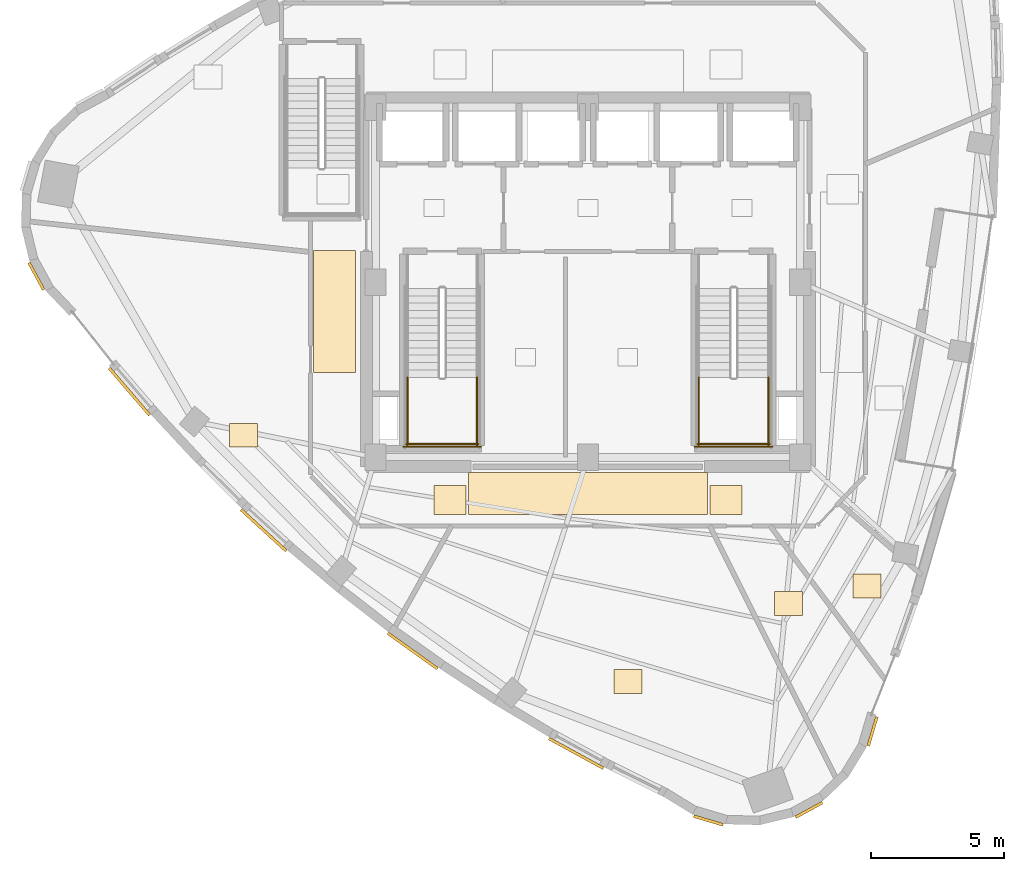
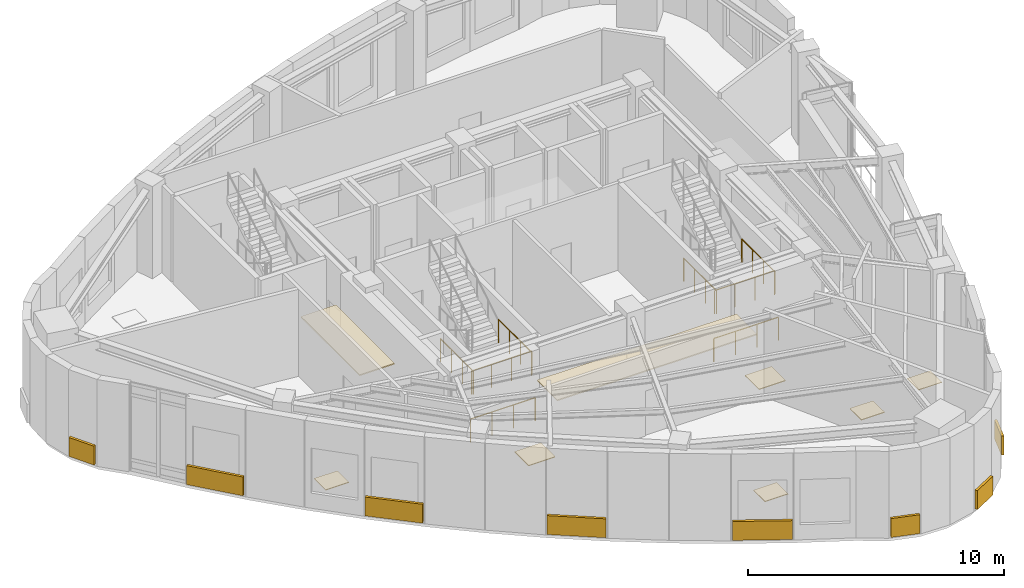
# One storey, part 12 of 14: 16 coverings, 8 railings.
"""IFC4 building model written with IfcOpenShell, lengths in metres."""

from ifc_helpers import new_model, si_unit, direction, frame, origin, origin_2d, place, context, subcontext, project, spatial, rectangle, circle, extrude, material, layer, layer_set, type_object, element, save


model = new_model("IFC4")

# Units and contexts
model_context = context("Model", 3, precision=1e-05, world=origin(), true_north=direction((0.0, 1.0)))
body_context = subcontext(model_context, "Body", "Model", "MODEL_VIEW")
ifc_project = project(units=[si_unit("LENGTHUNIT", "METRE"), si_unit("AREAUNIT", "SQUARE_METRE"), si_unit("VOLUMEUNIT", "CUBIC_METRE"), si_unit("PLANEANGLEUNIT", "RADIAN"), si_unit("MASSUNIT", "GRAM", prefix="KILO")], contexts=[model_context])

# Site, building, storey
site_placement = place(None, origin())
site = spatial("IfcSite", under=ifc_project, at=site_placement, CompositionType="ELEMENT")
building_placement = place(site_placement, origin())
building = spatial("IfcBuilding", under=site, at=building_placement, Name="Ndelora Gate Hotel", CompositionType="ELEMENT")
storey_placement = place(building_placement, frame((0.0, 0.0, 277.199951171875)))
storey = spatial("IfcBuildingStorey", under=building, at=storey_placement, Name="L69", CompositionType="ELEMENT", Elevation=277.199951171875)

# Coverings
ifc_material_1 = material(Name="Perforated Acoustic Gypsum Board", Category="gypsum")
ifc_layer_1 = layer(ifc_material_1, 0.054931640625)
ifc_layer_set_1 = layer_set([ifc_layer_1], Name="Perforated Acoustic Gypsum Board")
covering_type_1 = type_object("IfcCoveringType", Name="COV-CEIL-AC60", PredefinedType="CEILING", material=ifc_layer_set_1)
covering_1_placement = place(storey_placement, frame((-9.550048828125, -1.10009765625, 2.65234375), z_axis=(0.0, 0.0, 1.0), x_axis=(1.0, 0.0, 0.0)))
element("IfcCovering", 1, at=covering_1_placement, inside=storey, type_object=covering_type_1, Name="L69 Guest Corridor Acoustic Ceiling W", PredefinedType="CEILING", context=body_context, shape_type="SweptSolid", body=[
    extrude(rectangle(XDim=1.580078125, YDim=4.60009765625, at=origin_2d()), origin(), (0.0, 0.0, 1.0), 0.054931640625),
])
covering_2_placement = place(storey_placement, frame((0.0, -7.9599609375, 2.65234375), z_axis=(0.0, 0.0, 1.0), x_axis=(1.0, 0.0, 0.0)))
element("IfcCovering", 2, at=covering_2_placement, inside=storey, type_object=covering_type_1, Name="L69 Guest Corridor Acoustic Ceiling S", PredefinedType="CEILING", context=body_context, shape_type="SweptSolid", body=[
    extrude(rectangle(XDim=9.0, YDim=1.580078125, at=origin_2d()), origin(), (0.0, 0.0, 1.0), 0.054931640625),
])
ifc_material_2 = material(Name="Terracotta Fired Clay Brick Slip Cladding", Category="masonry")
ifc_layer_2 = layer(ifc_material_2, 0.110107421875)
ifc_layer_set_2 = layer_set([ifc_layer_2], Name="Terracotta Fired Clay Brick Slip Cladding")
covering_type_2 = type_object("IfcCoveringType", Name="COV-CLAD-BRK", PredefinedType="CLADDING", material=ifc_layer_set_2)
covering_3_placement = place(storey_placement, frame((-20.781494140625, 0.2236328125, 0.10009765625), z_axis=(0.0, 0.0, 1.0), x_axis=(-0.47715876026, 0.878817112662, 0.0)))
element("IfcCovering", 3, at=covering_3_placement, inside=storey, type_object=covering_type_2, Name="L69 Rounded-Corner Brick Cladding Band 7", PredefinedType="CLADDING", context=body_context, shape_type="SweptSolid", body=[
    extrude(rectangle(XDim=1.153076171875, YDim=0.110107421875, at=origin_2d()), origin(), (0.0, 0.0, 1.0), 0.89990234375),
])
covering_4_placement = place(storey_placement, frame((-17.27294921875, -4.123046875, 0.10009765625), z_axis=(0.0, 0.0, 1.0), x_axis=(-0.651568967347, 0.758589401976, 0.0)))
element("IfcCovering", 4, at=covering_4_placement, inside=storey, type_object=covering_type_2, Name="L69 Rounded-Corner Brick Cladding Band 10", PredefinedType="CLADDING", context=body_context, shape_type="SweptSolid", body=[
    extrude(rectangle(XDim=2.3369140625, YDim=0.110107421875, at=origin_2d()), origin(), (0.0, 0.0, 1.0), 0.89990234375),
])
for number, where, z_axis, x_axis, name in (
    (5, (-12.21533203125, -9.348388671875, 0.10009765625), (0.0, 0.0, 1.0), (-0.737513117358, 0.675332808121, 0.0), "L69 Rounded-Corner Brick Cladding Band 13"),
    (6, (-6.6044921875, -13.891845703125, 0.10009765625), (0.0, 0.0, 1.0), (-0.813912765191, 0.580987100252, 0.0), "L69 Rounded-Corner Brick Cladding Band 16"),
):
    element("IfcCovering", number, at=place(storey_placement, frame(where, z_axis=z_axis, x_axis=x_axis)), inside=storey, type_object=covering_type_2, Name=name, PredefinedType="CLADDING", context=body_context, shape_type="SweptSolid", body=[
        extrude(rectangle(XDim=2.302001953125, YDim=0.110107421875, at=origin_2d()), origin(), (0.0, 0.0, 1.0), 0.89990234375),
    ])
covering_5_placement = place(storey_placement, frame((-0.441650390625, -17.752685546875, 0.10009765625), z_axis=(0.0, 0.0, 1.0), x_axis=(-0.87748120917, 0.479611016922, 0.0)))
element("IfcCovering", 7, at=covering_5_placement, inside=storey, type_object=covering_type_2, Name="L69 Rounded-Corner Brick Cladding Band 19", PredefinedType="CLADDING", context=body_context, shape_type="SweptSolid", body=[
    extrude(rectangle(XDim=2.3369140625, YDim=0.110107421875, at=origin_2d()), origin(), (0.0, 0.0, 1.0), 0.89990234375),
])
for number, where, z_axis, x_axis, name in (
    (8, (4.539306640625, -20.281005859375, 0.10009765625), (0.0, 0.0, 1.0), (-0.958819734868, 0.284015344704, 0.0), "L69 Rounded-Corner Brick Cladding Band 22"),
    (9, (8.328125, -19.882568359375, 0.10009765625), (0.0, 0.0, 1.0), (0.878817112662, 0.47715876026, 0.0), "L69 Rounded-Corner Brick Cladding Band 25"),
    (10, (10.7255859375, -16.922119140625, 0.10009765625), (0.0, 0.0, 1.0), (0.284015344704, 0.958819734868, 0.0), "L69 Rounded-Corner Brick Cladding Band 28"),
):
    element("IfcCovering", number, at=place(storey_placement, frame(where, z_axis=z_axis, x_axis=x_axis)), inside=storey, type_object=covering_type_2, Name=name, PredefinedType="CLADDING", context=body_context, shape_type="SweptSolid", body=[
        extrude(rectangle(XDim=1.153076171875, YDim=0.110107421875, at=origin_2d()), origin(), (0.0, 0.0, 1.0), 0.89990234375),
    ])
ifc_material_3 = material(Name="Engineered Highland Oak Parquet", Category="wood")
ifc_layer_3 = layer(ifc_material_3, 0.030029296875)
ifc_layer_set_3 = layer_set([ifc_layer_3], Name="Engineered Highland Oak Parquet")
covering_type_3 = type_object("IfcCoveringType", Name="COV-FLR-PARQ", PredefinedType="FLOORING", material=ifc_layer_set_3)
for number, where, z_axis, x_axis, name in (
    (11, (-12.974609375, -5.764404296875, 0.0), (0.0, 0.0, 1.0), (1.0, 0.0, 0.0), "L69 Private Horizon Boardroom Oak Parquet Flooring"),
    (12, (1.5048828125, -15.038330078125, 0.0), (0.0, 0.0, 1.0), (1.0, 0.0, 0.0), "L69 Restaurant Finishing Kitchen Oak Parquet Flooring"),
    (13, (7.55078125, -12.100830078125, 0.0), (0.0, 0.0, 1.0), (1.0, 0.0, 0.0), "L69 Male Public Restroom Oak Parquet Flooring"),
    (14, (10.51708984375, -11.448974609375, 0.0), (0.0, 0.0, 1.0), (1.0, 0.0, 0.0), "L69 Accessible WC Oak Parquet Flooring"),
):
    element("IfcCovering", number, at=place(storey_placement, frame(where, z_axis=z_axis, x_axis=x_axis)), inside=storey, type_object=covering_type_3, Name=name, PredefinedType="FLOORING", context=body_context, shape_type="SweptSolid", body=[
        extrude(rectangle(XDim=1.050048828125, YDim=0.89990234375, at=origin_2d()), origin(), (0.0, 0.0, 1.0), 0.030029296875),
    ])
ifc_material_4 = material(Name="Polished Highland Stone Terrazzo", Category="masonry")
ifc_layer_4 = layer(ifc_material_4, 0.034912109375)
ifc_layer_set_4 = layer_set([ifc_layer_4], Name="Polished Highland Stone Terrazzo")
covering_type_4 = type_object("IfcCoveringType", Name="COV-FLR-TERZ", PredefinedType="FLOORING", material=ifc_layer_set_4)
for number, where, z_axis, x_axis, name in (
    (15, (-5.199951171875, -8.199951171875, 0.0), (0.0, 0.0, 1.0), (1.0, 0.0, 0.0), "L69 Corridor Threshold Terrazzo Inlay SW"),
    (16, (5.199951171875, -8.199951171875, 0.0), (0.0, 0.0, 1.0), (1.0, 0.0, 0.0), "L69 Corridor Threshold Terrazzo Inlay SE"),
):
    element("IfcCovering", number, at=place(storey_placement, frame(where, z_axis=z_axis, x_axis=x_axis)), inside=storey, type_object=covering_type_4, Name=name, PredefinedType="FLOORING", context=body_context, shape_type="SweptSolid", body=[
        extrude(rectangle(XDim=1.199951171875, YDim=1.10009765625, at=origin_2d()), origin(), (0.0, 0.0, 1.0), 0.034912109375),
    ])

# Railings
ifc_material_5 = material(Name="Painted Galvanized Steel Balustrade", Category="steel")
ifc_layer_5 = layer(ifc_material_5, 0.06005859375)
ifc_layer_set_5 = layer_set([ifc_layer_5], Name="Painted Galvanized Steel Balustrade")
railing_type = type_object("IfcRailingType", Name="RL-STAIR-GD", PredefinedType="GUARDRAIL", material=ifc_layer_set_5)
for number, where, name in (
    (17, (-6.800048828125, -3.590087890625, 2.199951171875), "L69 ST4 stair guard 3"),
    (18, (-4.179931640625, -3.590087890625, 2.199951171875), "L69 ST4 stair guard 4"),
):
    element("IfcRailing", number, at=place(storey_placement, frame(where)), inside=storey, type_object=railing_type, Name=name, PredefinedType="GUARDRAIL", context=body_context, shape_type="SweptSolid", body=[
        extrude(circle(Radius=0.02392578125, at=origin_2d()), frame((0.0, 0.0, 1.10595703125), z_axis=(0.0, -1.0, 0.0), x_axis=(1.0, 0.0, 0.0)), (0.0, 0.0, 1.0), 2.559814453125),
        extrude(circle(Radius=0.02099609375, at=origin_2d()), origin(), (0.0, 0.0, 1.0), 1.081787109375),
        extrude(circle(Radius=0.02099609375, at=origin_2d()), frame((0.0, -0.853271484375, 0.0)), (0.0, 0.0, 1.0), 1.081787109375),
        extrude(circle(Radius=0.02099609375, at=origin_2d()), frame((0.0, -1.70654296875, 0.0)), (0.0, 0.0, 1.0), 1.081787109375),
        extrude(circle(Radius=0.02099609375, at=origin_2d()), frame((0.0, -2.559814453125, 0.0)), (0.0, 0.0, 1.0), 1.081787109375),
    ])
railing_1_placement = place(storey_placement, frame((-6.85009765625, -6.10009765625, 2.199951171875)))
element("IfcRailing", 19, at=railing_1_placement, inside=storey, type_object=railing_type, Name="L69 ST4 stair guard 5", PredefinedType="GUARDRAIL", context=body_context, shape_type="SweptSolid", body=[
    extrude(circle(Radius=0.02392578125, at=origin_2d()), frame((0.0, 0.0, 1.10595703125), z_axis=(1.0, 0.0, 0.0), x_axis=(0.0, 1.0, 0.0)), (0.0, 0.0, 1.0), 2.72021484375),
    extrude(circle(Radius=0.02099609375, at=origin_2d()), origin(), (0.0, 0.0, 1.0), 1.081787109375),
    extrude(circle(Radius=0.02099609375, at=origin_2d()), frame((0.90673828125, 0.0, 0.0)), (0.0, 0.0, 1.0), 1.081787109375),
    extrude(circle(Radius=0.02099609375, at=origin_2d()), frame((1.8134765625, 0.0, 0.0)), (0.0, 0.0, 1.0), 1.081787109375),
    extrude(circle(Radius=0.02099609375, at=origin_2d()), frame((2.72021484375, 0.0, 0.0)), (0.0, 0.0, 1.0), 1.081787109375),
])
railing_2_placement = place(storey_placement, frame((-6.949951171875, -6.199951171875, 0.0)))
element("IfcRailing", 20, at=railing_2_placement, inside=storey, type_object=railing_type, Name="L69 ST4 stair guard 12", PredefinedType="GUARDRAIL", context=body_context, shape_type="SweptSolid", body=[
    extrude(circle(Radius=0.02392578125, at=origin_2d()), frame((0.0, 0.0, 1.10595703125), z_axis=(1.0, 0.0, 0.0), x_axis=(0.0, 1.0, 0.0)), (0.0, 0.0, 1.0), 2.919921875),
    extrude(circle(Radius=0.02099609375, at=origin_2d()), origin(), (0.0, 0.0, 1.0), 1.081787109375),
    extrude(circle(Radius=0.02099609375, at=origin_2d()), frame((0.973388671875, 0.0, 0.0)), (0.0, 0.0, 1.0), 1.081787109375),
    extrude(circle(Radius=0.02099609375, at=origin_2d()), frame((1.946533203125, 0.0, 0.0)), (0.0, 0.0, 1.0), 1.081787109375),
    extrude(circle(Radius=0.02099609375, at=origin_2d()), frame((2.919921875, 0.0, 0.0)), (0.0, 0.0, 1.0), 1.081787109375),
])
for number, where, name in (
    (21, (4.179931640625, -3.590087890625, 2.199951171875), "L69 ST5 stair guard 3"),
    (22, (6.800048828125, -3.590087890625, 2.199951171875), "L69 ST5 stair guard 4"),
):
    element("IfcRailing", number, at=place(storey_placement, frame(where)), inside=storey, type_object=railing_type, Name=name, PredefinedType="GUARDRAIL", context=body_context, shape_type="SweptSolid", body=[
        extrude(circle(Radius=0.02392578125, at=origin_2d()), frame((0.0, 0.0, 1.10595703125), z_axis=(0.0, -1.0, 0.0), x_axis=(1.0, 0.0, 0.0)), (0.0, 0.0, 1.0), 2.559814453125),
        extrude(circle(Radius=0.02099609375, at=origin_2d()), origin(), (0.0, 0.0, 1.0), 1.081787109375),
        extrude(circle(Radius=0.02099609375, at=origin_2d()), frame((0.0, -0.853271484375, 0.0)), (0.0, 0.0, 1.0), 1.081787109375),
        extrude(circle(Radius=0.02099609375, at=origin_2d()), frame((0.0, -1.70654296875, 0.0)), (0.0, 0.0, 1.0), 1.081787109375),
        extrude(circle(Radius=0.02099609375, at=origin_2d()), frame((0.0, -2.559814453125, 0.0)), (0.0, 0.0, 1.0), 1.081787109375),
    ])
railing_3_placement = place(storey_placement, frame((4.1298828125, -6.10009765625, 2.199951171875)))
element("IfcRailing", 23, at=railing_3_placement, inside=storey, type_object=railing_type, Name="L69 ST5 stair guard 5", PredefinedType="GUARDRAIL", context=body_context, shape_type="SweptSolid", body=[
    extrude(circle(Radius=0.02392578125, at=origin_2d()), frame((0.0, 0.0, 1.10595703125), z_axis=(1.0, 0.0, 0.0), x_axis=(0.0, 1.0, 0.0)), (0.0, 0.0, 1.0), 2.72021484375),
    extrude(circle(Radius=0.02099609375, at=origin_2d()), origin(), (0.0, 0.0, 1.0), 1.081787109375),
    extrude(circle(Radius=0.02099609375, at=origin_2d()), frame((0.90673828125, 0.0, 0.0)), (0.0, 0.0, 1.0), 1.081787109375),
    extrude(circle(Radius=0.02099609375, at=origin_2d()), frame((1.8134765625, 0.0, 0.0)), (0.0, 0.0, 1.0), 1.081787109375),
    extrude(circle(Radius=0.02099609375, at=origin_2d()), frame((2.72021484375, 0.0, 0.0)), (0.0, 0.0, 1.0), 1.081787109375),
])
railing_4_placement = place(storey_placement, frame((4.030029296875, -6.199951171875, 0.0)))
element("IfcRailing", 24, at=railing_4_placement, inside=storey, type_object=railing_type, Name="L69 ST5 stair guard 12", PredefinedType="GUARDRAIL", context=body_context, shape_type="SweptSolid", body=[
    extrude(circle(Radius=0.02392578125, at=origin_2d()), frame((0.0, 0.0, 1.10595703125), z_axis=(1.0, 0.0, 0.0), x_axis=(0.0, 1.0, 0.0)), (0.0, 0.0, 1.0), 2.919921875),
    extrude(circle(Radius=0.02099609375, at=origin_2d()), origin(), (0.0, 0.0, 1.0), 1.081787109375),
    extrude(circle(Radius=0.02099609375, at=origin_2d()), frame((0.973388671875, 0.0, 0.0)), (0.0, 0.0, 1.0), 1.081787109375),
    extrude(circle(Radius=0.02099609375, at=origin_2d()), frame((1.946533203125, 0.0, 0.0)), (0.0, 0.0, 1.0), 1.081787109375),
    extrude(circle(Radius=0.02099609375, at=origin_2d()), frame((2.919921875, 0.0, 0.0)), (0.0, 0.0, 1.0), 1.081787109375),
])

save(model, "model.ifc")
